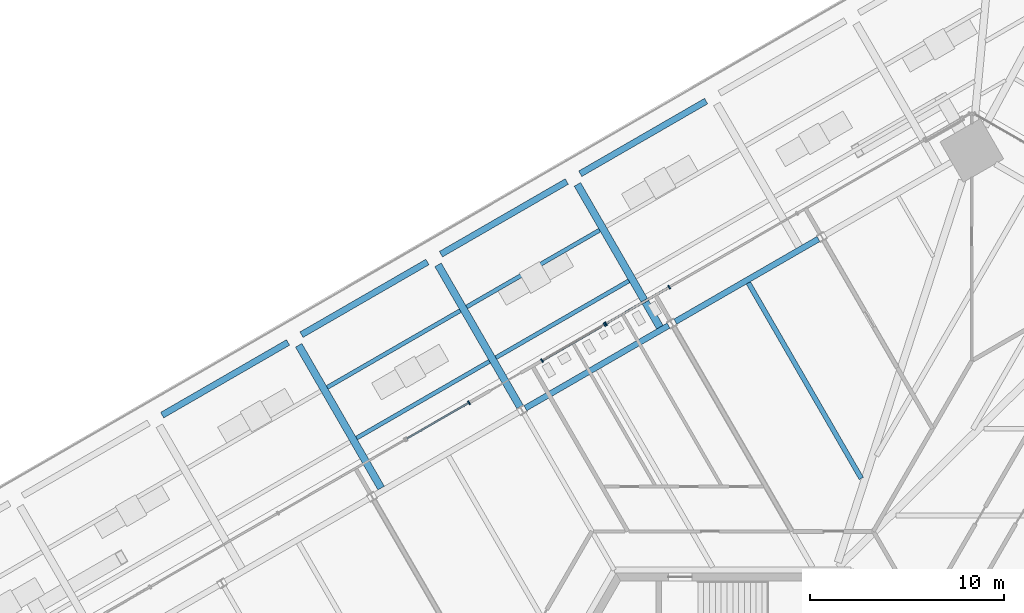
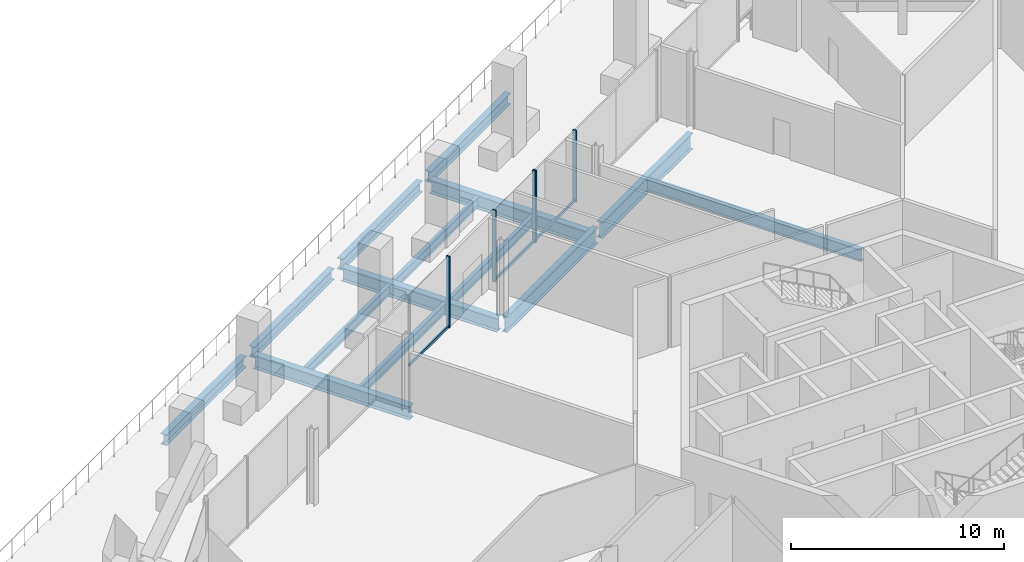
# One storey, part 13 of 38: 14 beams, 8 members, 3 elements without a shape of their own.
"""IFC4 building model written with IfcOpenShell, lengths in metres."""

from ifc_helpers import new_model, si_unit, direction, frame, origin, origin_2d, place, context, subcontext, project, spatial, rectangle, i_section, extrude, source, transform, mapped, material, material_profile, profile_set, type_object, element, aggregate, save


model = new_model("IFC4")

# Units and contexts
model_context = context("Model", 3, precision=1e-05, world=origin(), true_north=direction((0.0, 1.0)))
body_context = subcontext(model_context, "Body", "Model", "MODEL_VIEW")
ifc_project = project(units=[si_unit("LENGTHUNIT", "METRE"), si_unit("AREAUNIT", "SQUARE_METRE"), si_unit("VOLUMEUNIT", "CUBIC_METRE"), si_unit("PLANEANGLEUNIT", "RADIAN"), si_unit("MASSUNIT", "GRAM", prefix="KILO")], contexts=[model_context])

# Site, building, storey
site_placement = place(None, origin())
site = spatial("IfcSite", under=ifc_project, at=site_placement, CompositionType="ELEMENT")
building_placement = place(site_placement, origin())
building = spatial("IfcBuilding", under=site, at=building_placement, Name="Triune Harvest Tower", CompositionType="ELEMENT")
storey_placement = place(building_placement, frame((0.0, 0.0, 16.0)))
storey = spatial("IfcBuildingStorey", under=building, at=storey_placement, Name="L03", CompositionType="ELEMENT", Elevation=16.0)

# Beams
ifc_material_1 = material(Name="Steel ASTM A992 Gr 50", Category="steel")
ifc_material_profile_1 = material_profile(ifc_material_1, i_section(OverallWidth=0.32763671875, OverallDepth=0.62744140625, WebThickness=0.0166015625, FlangeThickness=0.027587890625, at=origin_2d()), Name="W24x146")
ifc_profile_set_1 = profile_set([ifc_material_profile_1], Name="Steel ASTM A992 Gr 50")
beam_type_1 = type_object("IfcBeamType", Name="PD-4 Podium edge beam W24x146", PredefinedType="BEAM", material=ifc_profile_set_1)
shared_shape_1 = source(origin(), body_context, "Body", "SweptSolid", [
    extrude(i_section(OverallWidth=0.32763671875, OverallDepth=0.62744140625, WebThickness=0.0166015625, FlangeThickness=0.027587890625, at=origin_2d()), origin(), (0.0, 0.0, 1.0), 7.47998046875),
])
beam_1_placement = place(storey_placement, frame((-8.533203125, 30.5400390625, -0.513671875), z_axis=(-0.866023067432, -0.500004046659, 0.0), x_axis=(0.500004046659, -0.866023067432, 0.0)))
element("IfcBeam", 1, at=beam_1_placement, inside=storey, type_object=beam_type_1, Name="beam/L03/PE18", PredefinedType="BEAM", context=body_context, shape_type="MappedRepresentation", body=[
    mapped(shared_shape_1, transform((0.0, 0.0, 0.0), scale=1.0)),
])
shared_shape_2 = source(origin(), body_context, "Body", "SweptSolid", [
    extrude(i_section(OverallWidth=0.32763671875, OverallDepth=0.62744140625, WebThickness=0.0166015625, FlangeThickness=0.027587890625, at=origin_2d()), origin(), (0.0, 0.0, 1.0), 7.480224609375),
])
for number, where, z_axis, x_axis, name in (
    (2, (-1.362548828125, 34.679931640625, -0.513671875), (-0.866031227086, -0.49998991361, 0.0), (0.49998991361, -0.866031227086, 0.0), "beam/L03/PE17"),
    (3, (-15.703857421875, 26.39990234375, -0.513671875), (-0.866031227086, -0.49998991361, 0.0), (0.49998991361, -0.866031227086, 0.0), "beam/L03/PE19"),
    (4, (-22.87451171875, 22.260009765625, -0.513671875), (-0.866031227086, -0.49998991361, 0.0), (0.49998991361, -0.866031227086, 0.0), "beam/L03/PE20"),
):
    element("IfcBeam", number, at=place(storey_placement, frame(where, z_axis=z_axis, x_axis=x_axis)), inside=storey, type_object=beam_type_1, Name=name, PredefinedType="BEAM", context=body_context, shape_type="MappedRepresentation", body=[
        mapped(shared_shape_2, transform((0.0, 0.0, 0.0), scale=1.0)),
    ])
ifc_material_2 = material(Name="Steel ASTM A992 Gr 50", Category="steel")
ifc_material_profile_2 = material_profile(ifc_material_2, i_section(OverallWidth=0.381103515625, OverallDepth=0.772216796875, WebThickness=0.0166015625, FlangeThickness=0.027099609375, at=origin_2d()), Name="W30x173")
ifc_profile_set_2 = profile_set([ifc_material_profile_2], Name="Steel ASTM A992 Gr 50")
beam_type_2 = type_object("IfcBeamType", Name="PD-3 Podium girder W30x173", PredefinedType="BEAM", material=ifc_profile_set_2)
shared_shape_3 = source(origin(), body_context, "Body", "SweptSolid", [
    extrude(i_section(OverallWidth=0.381103515625, OverallDepth=0.772216796875, WebThickness=0.0166015625, FlangeThickness=0.027099609375, at=origin_2d()), origin(), (0.0, 0.0, 1.0), 8.432373046875),
])
beam_2_placement = place(storey_placement, frame((-15.157470703125, 26.253662109375, -0.586181640625), z_axis=(0.49998477255, -0.866034195178, 0.0), x_axis=(0.866034195178, 0.49998477255, 0.0)))
element("IfcBeam", 5, at=beam_2_placement, inside=storey, type_object=beam_type_2, Name="beam/L03/PR21", PredefinedType="BEAM", context=body_context, shape_type="MappedRepresentation", body=[
    mapped(shared_shape_3, transform((0.0, 0.0, 0.0), scale=1.0)),
])
ifc_material_3 = material(Name="Steel ASTM A992 Gr 50", Category="steel")
ifc_material_profile_3 = material_profile(ifc_material_3, i_section(OverallWidth=0.2138671875, OverallDepth=0.548583984375, WebThickness=0.0146484375, FlangeThickness=0.023681640625, at=origin_2d()), Name="W21x93")
ifc_profile_set_3 = profile_set([ifc_material_profile_3], Name="Steel ASTM A992 Gr 50")
beam_type_3 = type_object("IfcBeamType", Name="PD-5 Podium joist W21x93", PredefinedType="JOIST", material=ifc_profile_set_3)
shared_shape_4 = source(origin(), body_context, "Body", "SweptSolid", [
    extrude(i_section(OverallWidth=0.2138671875, OverallDepth=0.548583984375, WebThickness=0.0146484375, FlangeThickness=0.023681640625, at=origin_2d()), origin(), (0.0, 0.0, 1.0), 7.89892578125),
])
for number, where, z_axis, x_axis, name in (
    (6, (-6.845947265625, 28.036376953125, -0.474365234375), (-0.866022421773, -0.50000516496, 0.0), (0.50000516496, -0.866022421773, 0.0), "beam/L03/PJ37"),
    (7, (-5.340087890625, 25.427978515625, -0.474365234375), (-0.866022421773, -0.50000516496, 0.0), (0.50000516496, -0.866022421773, 0.0), "beam/L03/PJ38"),
):
    element("IfcBeam", number, at=place(storey_placement, frame(where, z_axis=z_axis, x_axis=x_axis)), inside=storey, type_object=beam_type_3, Name=name, PredefinedType="JOIST", context=body_context, shape_type="MappedRepresentation", body=[
        mapped(shared_shape_4, transform((0.0, 0.0, 0.0), scale=1.0)),
    ])
shared_shape_5 = source(origin(), body_context, "Body", "SweptSolid", [
    extrude(i_section(OverallWidth=0.2138671875, OverallDepth=0.548583984375, WebThickness=0.0146484375, FlangeThickness=0.023681640625, at=origin_2d()), origin(), (0.0, 0.0, 1.0), 7.899169921875),
])
for number, where, z_axis, x_axis, name in (
    (8, (-14.0166015625, 23.896484375, -0.474365234375), (-0.866030148722, -0.499991781437, 0.0), (0.499991781437, -0.866030148722, 0.0), "beam/L03/PJ39"),
    (9, (-12.510498046875, 21.2880859375, -0.474365234375), (-0.866030148722, -0.499991781437, 0.0), (0.499991781437, -0.866030148722, 0.0), "beam/L03/PJ40"),
):
    element("IfcBeam", number, at=place(storey_placement, frame(where, z_axis=z_axis, x_axis=x_axis)), inside=storey, type_object=beam_type_3, Name=name, PredefinedType="JOIST", context=body_context, shape_type="MappedRepresentation", body=[
        mapped(shared_shape_5, transform((0.0, 0.0, 0.0), scale=1.0)),
    ])
ifc_material_4 = material(Name="Steel ASTM A992 Gr 50", Category="steel")
ifc_material_profile_4 = material_profile(ifc_material_4, i_section(OverallWidth=0.3046875, OverallDepth=0.914306640625, WebThickness=0.0166015625, FlangeThickness=0.02587890625, at=origin_2d()), Name="W36x160")
ifc_profile_set_4 = profile_set([ifc_material_profile_4], Name="Steel ASTM A992 Gr 50")
beam_type_4 = type_object("IfcBeamType", Name="SB-1 Spandrel beam W36x160", PredefinedType="SPANDREL", material=ifc_profile_set_4)
shared_shape_6 = source(origin(), body_context, "Body", "SweptSolid", [
    extrude(i_section(OverallWidth=0.3046875, OverallDepth=0.914306640625, WebThickness=0.0166015625, FlangeThickness=0.02587890625, at=origin_2d()), origin(), (0.0, 0.0, 1.0), 8.506103515625),
])
for number, where, z_axis, x_axis, name in (
    (10, (4.41796875, 27.583984375, -0.6572265625), (-0.866030246746, -0.49999161165, 0.0), (0.49999161165, -0.866030246746, 0.0), "beam/L03/SB10"),
    (11, (-3.29833984375, 23.12890625, -0.6572265625), (-0.866030246746, -0.49999161165, 0.0), (0.49999161165, -0.866030246746, 0.0), "beam/L03/SB11"),
):
    element("IfcBeam", number, at=place(storey_placement, frame(where, z_axis=z_axis, x_axis=x_axis)), inside=storey, type_object=beam_type_4, Name=name, PredefinedType="SPANDREL", context=body_context, shape_type="MappedRepresentation", body=[
        mapped(shared_shape_6, transform((0.0, 0.0, 0.0), scale=1.0)),
    ])
ifc_material_5 = material(Name="Steel ASTM A992 Gr 50", Category="steel")
ifc_material_profile_5 = material_profile(ifc_material_5, i_section(OverallWidth=0.253662109375, OverallDepth=0.683349609375, WebThickness=0.012451171875, FlangeThickness=0.01904296875, at=origin_2d()), Name="W27x94")
ifc_profile_set_5 = profile_set([ifc_material_profile_5], Name="Steel ASTM A992 Gr 50")
beam_type_5 = type_object("IfcBeamType", Name="JT-4 Floor joist W27x94", PredefinedType="JOIST", material=ifc_profile_set_5)
shared_shape_7 = source(origin(), body_context, "Body", "SweptSolid", [
    extrude(i_section(OverallWidth=0.253662109375, OverallDepth=0.683349609375, WebThickness=0.012451171875, FlangeThickness=0.01904296875, at=origin_2d()), origin(), (0.0, 0.0, 1.0), 11.618896484375),
])
beam_3_placement = place(storey_placement, frame((0.810791015625, 25.325439453125, -0.54150390625), z_axis=(0.500008015982, -0.866020775706, 0.0), x_axis=(0.866020775706, 0.500008015982, 0.0)))
element("IfcBeam", 12, at=beam_3_placement, inside=storey, type_object=beam_type_5, Name="beam/L03/JT16", PredefinedType="JOIST", context=body_context, shape_type="MappedRepresentation", body=[
    mapped(shared_shape_7, transform((0.0, 0.0, 0.0), scale=1.0)),
])
shared_shape_8 = source(origin(), body_context, "Body", "SweptSolid", [
    extrude(i_section(OverallWidth=0.381103515625, OverallDepth=0.772216796875, WebThickness=0.0166015625, FlangeThickness=0.027099609375, at=origin_2d()), origin(), (0.0, 0.0, 1.0), 8.48291015625),
])
for number, where, z_axis, x_axis, name in (
    (13, (-7.98681640625, 30.3935546875, -0.586181640625), (0.499998986572, -0.866025988887, 0.0), (0.866025988887, 0.499998986572, 0.0), "beam/L03/PR20"),
    (14, (-22.328125, 22.113525390625, -0.586181640625), (0.499998986572, -0.866025988887, 0.0), (0.866025988887, 0.499998986572, 0.0), "beam/L03/PR22"),
):
    element("IfcBeam", number, at=place(storey_placement, frame(where, z_axis=z_axis, x_axis=x_axis)), inside=storey, type_object=beam_type_2, Name=name, PredefinedType="BEAM", context=body_context, shape_type="MappedRepresentation", body=[
        mapped(shared_shape_8, transform((0.0, 0.0, 0.0), scale=1.0)),
    ])

# Curtain wall, members
ifc_material_6 = material(Name="Aluminium bronze anodised", Category="aluminium")
curtain_wall_type_1 = type_object("IfcCurtainWallType", Name="CW-10 Balcony window wall with insulated spandrel infill", PredefinedType="NOTDEFINED", material=ifc_material_6)
curtain_wall_1_placement = place(storey_placement, origin())
curtain_wall_1 = element("IfcCurtainWall", 15, at=curtain_wall_1_placement, inside=storey, type_object=curtain_wall_type_1, Name="CW-10 B1-F3 L03 run 201")
ifc_material_7 = material(Name="Aluminium bronze anodised", Category="aluminium")
ifc_material_profile_6 = material_profile(ifc_material_7, rectangle(XDim=0.199951171875, YDim=0.074951171875, at=origin_2d()), Name="MU-6 mullion 75 x 200")
ifc_profile_set_6 = profile_set([ifc_material_profile_6], Name="Aluminium bronze anodised")
member_type_1 = type_object("IfcMemberType", Name="MU-6 mullion 75 x 200", PredefinedType="MULLION", material=ifc_profile_set_6)
shared_shape_9 = source(origin(), body_context, "Body", "SweptSolid", [
    extrude(rectangle(XDim=0.199951171875, YDim=0.074951171875, at=origin_2d()), origin(), (0.0, 0.0, 1.0), 4.10009765625),
])
member_1_placement = place(storey_placement, frame((-3.26123046875, 25.10400390625, 0.0), z_axis=(0.0, 0.0, 1.0), x_axis=(0.500003685711, -0.866023275828, 0.0)))
member_1 = element("IfcMember", 16, at=member_1_placement, type_object=member_type_1, Name="CW-10 mullion B1-F3 201.5", PredefinedType="MULLION", context=body_context, shape_type="MappedRepresentation", body=[
    mapped(shared_shape_9, transform((0.0, 0.0, 0.0), scale=1.0)),
])
member_2_placement = place(storey_placement, frame((-6.51806640625, 23.2236328125, 0.0), z_axis=(0.0, 0.0, 1.0), x_axis=(0.500003685711, -0.866023275828, 0.0)))
member_2 = element("IfcMember", 17, at=member_2_placement, type_object=member_type_1, Name="CW-10 mullion B1-F3 201.6", PredefinedType="MULLION", context=body_context, shape_type="MappedRepresentation", body=[
    mapped(shared_shape_9, transform((0.0, 0.0, 0.0), scale=1.0)),
])

ifc_material_8 = material(Name="Aluminium bronze anodised", Category="aluminium")
curtain_wall_type_2 = type_object("IfcCurtainWallType", Name="CW-6 Balcony window wall", PredefinedType="NOTDEFINED", material=ifc_material_8)
curtain_wall_2_placement = place(storey_placement, origin())
curtain_wall_2 = element("IfcCurtainWall", 18, at=curtain_wall_2_placement, inside=storey, type_object=curtain_wall_type_2, Name="CW-6 B1-F3 L03 run 1201")
member_3_placement = place(storey_placement, frame((-6.5830078125, 23.18603515625, 0.0), z_axis=(0.0, 0.0, 1.0), x_axis=(0.499992896298, -0.86602950507, 0.0)))
member_3 = element("IfcMember", 19, at=member_3_placement, type_object=member_type_1, Name="CW-6 mullion B1-F3 1201.1", PredefinedType="MULLION", context=body_context, shape_type="MappedRepresentation", body=[
    mapped(shared_shape_9, transform((0.0, 0.0, 0.0), scale=1.0)),
])
member_4_placement = place(storey_placement, frame((-9.807373046875, 21.324462890625, 0.0), z_axis=(0.0, 0.0, 1.0), x_axis=(0.499992896298, -0.86602950507, 0.0)))
member_4 = element("IfcMember", 20, at=member_4_placement, type_object=member_type_1, Name="CW-6 mullion B1-F3 1201.2", PredefinedType="MULLION", context=body_context, shape_type="MappedRepresentation", body=[
    mapped(shared_shape_9, transform((0.0, 0.0, 0.0), scale=1.0)),
])

# Curtain wall, member
curtain_wall_3_placement = place(storey_placement, origin())
curtain_wall_3 = element("IfcCurtainWall", 21, at=curtain_wall_3_placement, inside=storey, type_object=curtain_wall_type_2, Name="CW-6 B1-F3 L03 run 2")
member_5_placement = place(storey_placement, frame((-13.56396484375, 19.15576171875, 0.0), z_axis=(0.0, 0.0, 1.0), x_axis=(0.499992896298, -0.86602950507, 0.0)))
member_5 = element("IfcMember", 22, at=member_5_placement, type_object=member_type_1, Name="CW-6 mullion B1-F3 2.1", PredefinedType="MULLION", context=body_context, shape_type="MappedRepresentation", body=[
    mapped(shared_shape_9, transform((0.0, 0.0, 0.0), scale=1.0)),
])

# Member
ifc_material_9 = material(Name="Aluminium bronze anodised", Category="aluminium")
ifc_material_profile_7 = material_profile(ifc_material_9, rectangle(XDim=0.090087890625, YDim=0.14990234375, at=origin_2d()), Name="TR-6 transom 90 x 150")
ifc_profile_set_7 = profile_set([ifc_material_profile_7], Name="Aluminium bronze anodised")
member_type_2 = type_object("IfcMemberType", Name="TR-6 transom 90 x 150", PredefinedType="USERDEFINED", material=ifc_profile_set_7)
shared_shape_10 = source(origin(), body_context, "Body", "SweptSolid", [
    extrude(rectangle(XDim=0.090087890625, YDim=0.14990234375, at=origin_2d()), origin(), (0.0, 0.0, 1.0), 3.648193359375),
])
member_6_placement = place(storey_placement, frame((-6.615478515625, 23.16748046875, 0.074951171875), z_axis=(-0.866010620225, -0.500025605001, 0.0), x_axis=(0.500025605001, -0.866010620225, 0.0)))
member_6 = element("IfcMember", 23, at=member_6_placement, type_object=member_type_2, Name="CW-6 transom B1-F3 1201.1", ObjectType="TRANSOM", PredefinedType="USERDEFINED", context=body_context, shape_type="MappedRepresentation", body=[
    mapped(shared_shape_10, transform((0.0, 0.0, 0.0), scale=1.0)),
])

aggregate(curtain_wall_2, [member_3, member_4, member_6])

member_7_placement = place(storey_placement, frame((-13.596435546875, 19.13720703125, 0.074951171875), z_axis=(-0.866010620225, -0.500025605001, 0.0), x_axis=(0.500025605001, -0.866010620225, 0.0)))
member_7 = element("IfcMember", 24, at=member_7_placement, type_object=member_type_2, Name="CW-6 transom B1-F3 2.1", ObjectType="TRANSOM", PredefinedType="USERDEFINED", context=body_context, shape_type="MappedRepresentation", body=[
    mapped(shared_shape_10, transform((0.0, 0.0, 0.0), scale=1.0)),
])

aggregate(curtain_wall_3, [member_5, member_7])

shared_shape_11 = source(origin(), body_context, "Body", "SweptSolid", [
    extrude(rectangle(XDim=0.090087890625, YDim=0.14990234375, at=origin_2d()), origin(), (0.0, 0.0, 1.0), 3.685546875),
])
member_8_placement = place(storey_placement, frame((-3.293701171875, 25.085205078125, 0.074951171875), z_axis=(-0.866033360935, -0.499986217557, 0.0), x_axis=(0.499986217557, -0.866033360935, 0.0)))
member_8 = element("IfcMember", 25, at=member_8_placement, type_object=member_type_2, Name="CW-10 transom B1-F3 201.3", ObjectType="TRANSOM", PredefinedType="USERDEFINED", context=body_context, shape_type="MappedRepresentation", body=[
    mapped(shared_shape_11, transform((0.0, 0.0, 0.0), scale=1.0)),
])

aggregate(curtain_wall_1, [member_1, member_2, member_8])

save(model, "model.ifc")
